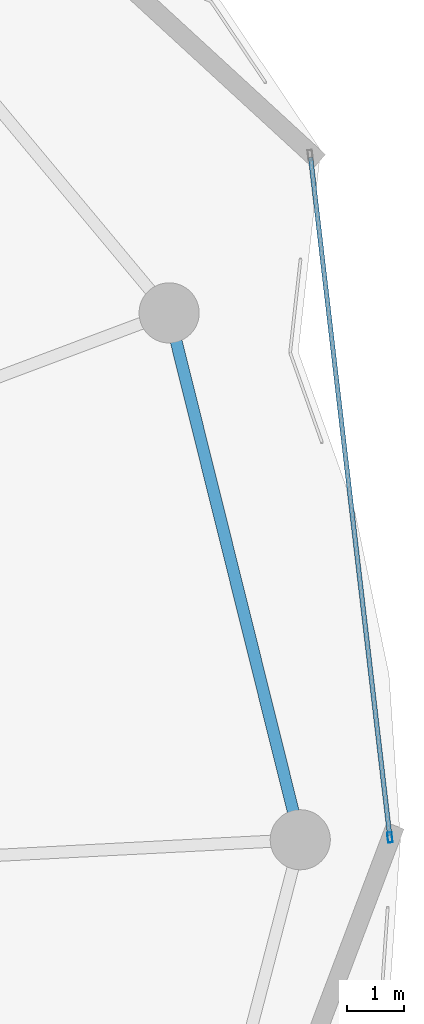
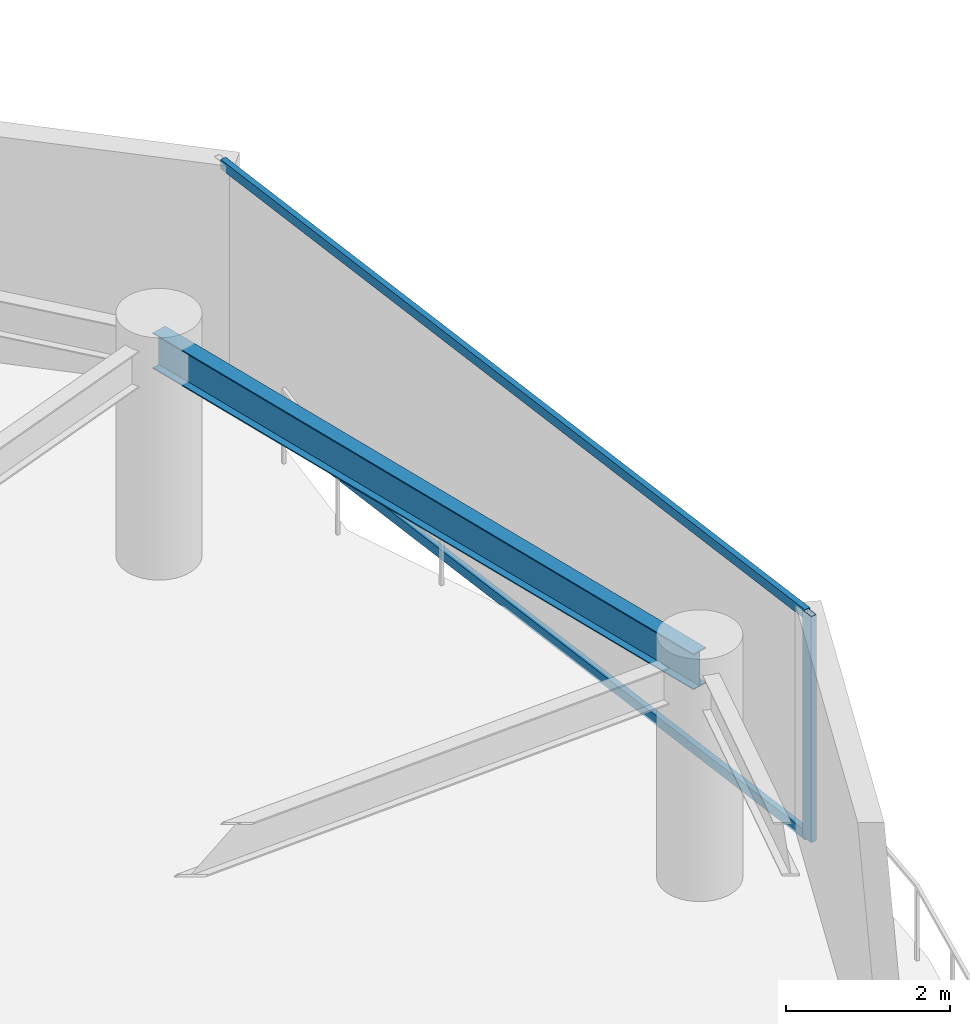
# One storey, part 16 of 31: 3 members, 1 beam, 1 element without a shape of its own.
"""IFC4 building model written with IfcOpenShell, lengths in metres."""

from ifc_helpers import new_model, si_unit, direction, frame, origin, origin_2d, place, context, subcontext, project, spatial, hollow_rectangle, i_section, extrude, material, layer, layer_set, material_profile, profile_set, type_object, element, aggregate, save


model = new_model("IFC4")

# Units and contexts
model_context = context("Model", 3, precision=1e-05, world=origin(), true_north=direction((0.0, 1.0)))
body_context = subcontext(model_context, "Body", "Model", "MODEL_VIEW")
ifc_project = project(units=[si_unit("LENGTHUNIT", "METRE"), si_unit("AREAUNIT", "SQUARE_METRE"), si_unit("VOLUMEUNIT", "CUBIC_METRE"), si_unit("PLANEANGLEUNIT", "RADIAN"), si_unit("MASSUNIT", "GRAM", prefix="KILO")], contexts=[model_context])

# Site, building, storey
site_placement = place(None, origin())
site = spatial("IfcSite", under=ifc_project, at=site_placement, CompositionType="ELEMENT")
building_placement = place(site_placement, origin())
building = spatial("IfcBuilding", under=site, at=building_placement, Name="Kazevale Care Tower and Concert Hall", CompositionType="ELEMENT")
storey_placement = place(building_placement, frame((0.0, 0.0, 206.39990234375)))
storey = spatial("IfcBuildingStorey", under=building, at=storey_placement, Name="L54", CompositionType="ELEMENT", Elevation=206.39990234375)

# Curtain wall, members
ifc_material_1 = material(Name="Aluminium 6063-T6 and Low-E Glass", Category="aluminium")
ifc_layer = layer(ifc_material_1, 0.179931640625)
ifc_layer_set = layer_set([ifc_layer], Name="Aluminium 6063-T6 and Low-E Glass")
curtain_wall_type = type_object("IfcCurtainWallType", Name="Waist & Upper Residential Curtain Wall CW-4", PredefinedType="NOTDEFINED", material=ifc_layer_set)
curtain_wall_placement = place(storey_placement, origin())
curtain_wall = element("IfcCurtainWall", 1, at=curtain_wall_placement, inside=storey, type_object=curtain_wall_type, Name="cw:L54:f18", PredefinedType="NOTDEFINED")
ifc_material_2 = material(Name="Aluminium 6063-T6", Category="aluminium")
ifc_material_profile_1 = material_profile(ifc_material_2, hollow_rectangle(XDim=0.080078125, YDim=0.179931640625, WallThickness=0.0048828125, at=origin_2d()), Name="ALU80x180x5")
ifc_profile_set_1 = profile_set([ifc_material_profile_1], Name="Aluminium 6063-T6")
member_type_1 = type_object("IfcMemberType", Name="CW-4 Mullion ALU80x180x5", PredefinedType="MULLION", material=ifc_profile_set_1)
member_1_placement = place(storey_placement, frame((76.615478515625, 38.039794921875, 0.0), z_axis=(0.0, 0.0, 1.0), x_axis=(0.993267109779, 0.115846659989, 0.0)))
member_1 = element("IfcMember", 2, at=member_1_placement, type_object=member_type_1, Name="CW-4 mullion 2", PredefinedType="MULLION", context=body_context, shape_type="SweptSolid", body=[
    extrude(hollow_rectangle(XDim=0.080078125, YDim=0.179931640625, WallThickness=0.0048828125, at=origin_2d()), origin(), (0.0, 0.0, 1.0), 3.360107421875),
])
ifc_material_profile_2 = material_profile(ifc_material_2, hollow_rectangle(XDim=0.080078125, YDim=0.139892578125, WallThickness=0.00390625, at=origin_2d()), Name="ALU80x140x4")
ifc_profile_set_2 = profile_set([ifc_material_profile_2], Name="Aluminium 6063-T6")
member_type_2 = type_object("IfcMemberType", Name="CW-4 Transom ALU80x140x4", PredefinedType="USERDEFINED", material=ifc_profile_set_2)
member_2_placement = place(storey_placement, frame((75.230224609375, 49.91552734375, 0.0400390625), z_axis=(0.115858128775, -0.993265772086, 0.0), x_axis=(0.993265772086, 0.115858128775, 0.0)))
member_2 = element("IfcMember", 3, at=member_2_placement, type_object=member_type_2, Name="CW-4 transom 1.1", ObjectType="TRANSOM", PredefinedType="USERDEFINED", context=body_context, shape_type="SweptSolid", body=[
    extrude(hollow_rectangle(XDim=0.080078125, YDim=0.139892578125, WallThickness=0.00390625, at=origin_2d()), origin(), (0.0, 0.0, 1.0), 11.91650390625),
])
member_3_placement = place(storey_placement, frame((75.230224609375, 49.91552734375, 3.320068359375), z_axis=(0.115858128775, -0.993265772086, 0.0), x_axis=(0.993265772086, 0.115858128775, 0.0)))
member_3 = element("IfcMember", 4, at=member_3_placement, type_object=member_type_2, Name="CW-4 transom 1.2", ObjectType="TRANSOM", PredefinedType="USERDEFINED", context=body_context, shape_type="SweptSolid", body=[
    extrude(hollow_rectangle(XDim=0.080078125, YDim=0.139892578125, WallThickness=0.00390625, at=origin_2d()), origin(), (0.0, 0.0, 1.0), 11.91650390625),
])
aggregate(curtain_wall, [member_1, member_2, member_3])

# Beam
ifc_material_3 = material(Name="Steel ASTM A572 Gr 50", Category="steel")
ifc_material_profile_3 = material_profile(ifc_material_3, i_section(OverallWidth=0.208984375, OverallDepth=0.532958984375, WebThickness=0.01025390625, FlangeThickness=0.015625, at=origin_2d()), Name="W530x92")
ifc_profile_set_3 = profile_set([ifc_material_profile_3], Name="Steel ASTM A572 Gr 50")
beam_type = type_object("IfcBeamType", Name="Upper Ring Beam W530x92", PredefinedType="BEAM", material=ifc_profile_set_3)
beam_placement = place(storey_placement, frame((75.050048828125, 38.0, 3.093505859375), z_axis=(-0.241547858543, 0.970388907621, 0.0), x_axis=(-0.970388907621, -0.241547858543, 0.0)))
element("IfcBeam", 5, at=beam_placement, inside=storey, type_object=beam_type, Name="beam:L54:ring:01", PredefinedType="BEAM", context=body_context, shape_type="SweptSolid", body=[
    extrude(i_section(OverallWidth=0.208984375, OverallDepth=0.532958984375, WebThickness=0.01025390625, FlangeThickness=0.015625, at=origin_2d()), origin(), (0.0, 0.0, 1.0), 9.480712890625),
])

save(model, "model.ifc")
